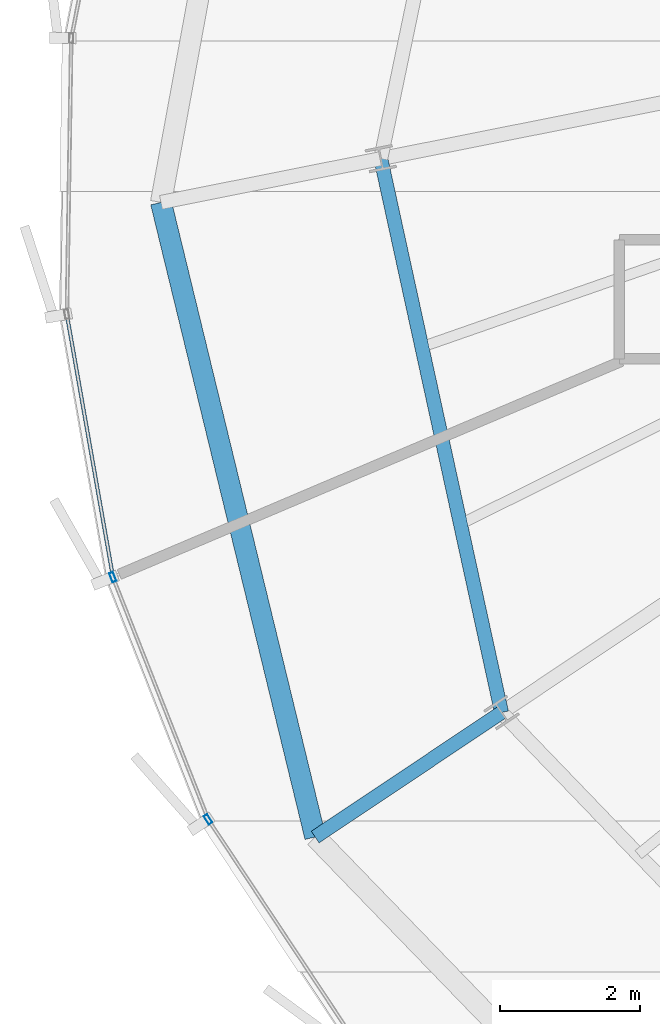
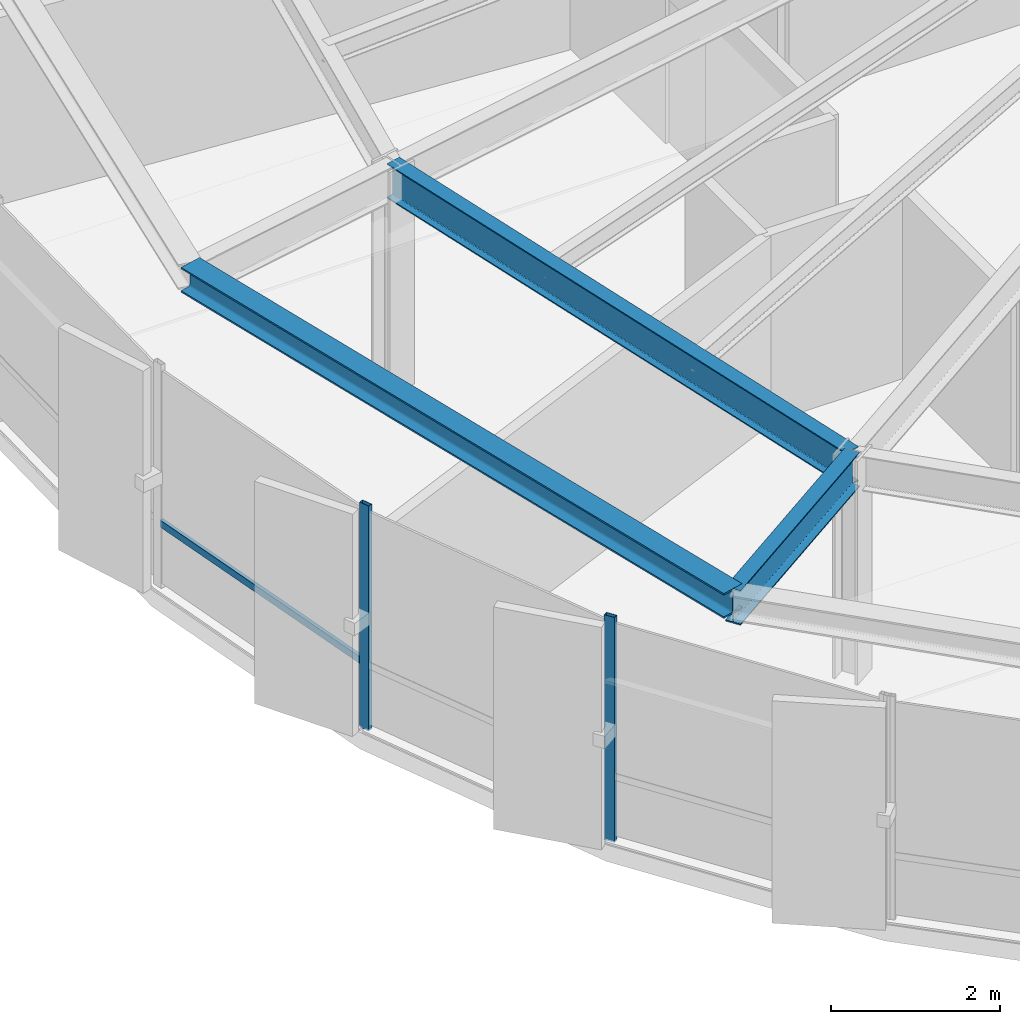
# One storey, part 4 of 35: 3 beams, 3 members, 1 element without a shape of its own.
"""IFC4 building model written with IfcOpenShell, lengths in metres."""

from ifc_helpers import new_model, si_unit, direction, frame, origin, origin_2d, place, context, subcontext, project, spatial, hollow_rectangle, i_section, extrude, source, transform, mapped, material, layer, layer_set, material_profile, profile_set, type_object, element, aggregate, save


model = new_model("IFC4")

# Units and contexts
model_context = context("Model", 3, precision=1e-05, world=origin(), true_north=direction((0.0, 1.0)))
body_context = subcontext(model_context, "Body", "Model", "MODEL_VIEW")
ifc_project = project(units=[si_unit("LENGTHUNIT", "METRE"), si_unit("AREAUNIT", "SQUARE_METRE"), si_unit("VOLUMEUNIT", "CUBIC_METRE"), si_unit("PLANEANGLEUNIT", "RADIAN"), si_unit("MASSUNIT", "GRAM", prefix="KILO"), si_unit("THERMODYNAMICTEMPERATUREUNIT", "KELVIN")], contexts=[model_context])

# Site, building, storey
site_placement = place(None, origin())
site = spatial("IfcSite", under=ifc_project, at=site_placement, CompositionType="ELEMENT")
building_placement = place(site_placement, origin())
building = spatial("IfcBuilding", under=site, at=building_placement, Name="Kethvar Cultural Tower", CompositionType="ELEMENT")
storey_placement = place(building_placement, frame((0.0, 0.0, 193.89990234375)))
storey = spatial("IfcBuildingStorey", under=building, at=storey_placement, Name="L50", CompositionType="ELEMENT", Elevation=193.89990234375)

# Beams
ifc_material_1 = material(Name="Steel S355J2", Category="steel")
ifc_material_profile_1 = material_profile(ifc_material_1, i_section(OverallWidth=0.199951171875, OverallDepth=0.5, WebThickness=0.01025390625, FlangeThickness=0.01611328125, FilletRadius=0.02099609375, at=origin_2d()), Name="Steel S355J2 — IPE500")
ifc_profile_set_1 = profile_set([ifc_material_profile_1], Name="Steel S355J2 — IPE500")
beam_type_1 = type_object("IfcBeamType", Name="BM-IPE500", PredefinedType="BEAM", material=ifc_profile_set_1)
shared_shape_1 = source(origin(), body_context, "Body", "SweptSolid", [
    extrude(i_section(OverallWidth=0.199951171875, OverallDepth=0.5, WebThickness=0.01025390625, FlangeThickness=0.01611328125, FilletRadius=0.02099609375, at=origin_2d()), origin(), (0.0, 0.0, 1.0), 3.199951171875),
])
beam_1_placement = place(storey_placement, frame((29.217529296875, 16.0517578125, 3.008056640625), z_axis=(-0.831462943996, -0.555580212716, 0.0), x_axis=(0.555580212716, -0.831462943996, 0.0)))
element("IfcBeam", 1, at=beam_1_placement, inside=storey, type_object=beam_type_1, Name="L50 Perimeter Cantilever Beam RC-10", PredefinedType="BEAM", context=body_context, shape_type="MappedRepresentation", body=[
    mapped(shared_shape_1, transform((0.0, 0.0, 0.0), scale=1.0)),
])
shared_shape_2 = source(origin(), body_context, "Body", "SweptSolid", [
    extrude(i_section(OverallWidth=0.199951171875, OverallDepth=0.5, WebThickness=0.01025390625, FlangeThickness=0.01611328125, FilletRadius=0.02099609375, at=origin_2d()), origin(), (0.0, 0.0, 1.0), 8.09375),
])
beam_2_placement = place(storey_placement, frame((27.492919921875, 23.959716796875, 3.008056640625), z_axis=(0.213077030298, -0.977035403227, 0.0), x_axis=(0.977035403227, 0.213077030298, 0.0)))
element("IfcBeam", 2, at=beam_2_placement, inside=storey, type_object=beam_type_1, Name="L50 Column Ring Tie Beam CR-09", PredefinedType="BEAM", context=body_context, shape_type="MappedRepresentation", body=[
    mapped(shared_shape_2, transform((0.0, 0.0, 0.0), scale=1.0)),
])
ifc_material_profile_2 = material_profile(ifc_material_1, i_section(OverallWidth=0.300048828125, OverallDepth=0.360107421875, WebThickness=0.012451171875, FlangeThickness=0.0224609375, FilletRadius=0.027099609375, at=origin_2d()), Name="Steel S355J2 — HEB360")
ifc_profile_set_2 = profile_set([ifc_material_profile_2], Name="Steel S355J2 — HEB360")
beam_type_2 = type_object("IfcBeamType", Name="BM-SP360", PredefinedType="SPANDREL", material=ifc_profile_set_2)
shared_shape_3 = source(origin(), body_context, "Body", "SweptSolid", [
    extrude(i_section(OverallWidth=0.300048828125, OverallDepth=0.360107421875, WebThickness=0.012451171875, FlangeThickness=0.0224609375, FilletRadius=0.027099609375, at=origin_2d()), origin(), (0.0, 0.0, 1.0), 9.3251953125),
])
beam_3_placement = place(storey_placement, frame((24.3544921875, 23.335205078125, 3.078125), z_axis=(0.236179213868, -0.97170951366, 0.0), x_axis=(0.97170951366, 0.236179213868, 0.0)))
element("IfcBeam", 3, at=beam_3_placement, inside=storey, type_object=beam_type_2, Name="L50 Perimeter Spandrel Beam SP-09", PredefinedType="SPANDREL", context=body_context, shape_type="MappedRepresentation", body=[
    mapped(shared_shape_3, transform((0.0, 0.0, 0.0), scale=1.0)),
])

# Curtain wall, members
ifc_material_2 = material(Name="Aluminium 6063-T6", Category="aluminium")
ifc_layer = layer(ifc_material_2, 0.179931640625, Name="Aluminium 6063-T6", Category="aluminium")
ifc_layer_set = layer_set([ifc_layer], Name="Aluminium 6063-T6 (180 mm)")
curtain_wall_type = type_object("IfcCurtainWallType", Name="CW-SYS-04-Z34", PredefinedType="NOTDEFINED", material=ifc_layer_set)
curtain_wall_placement = place(storey_placement, origin())
curtain_wall = element("IfcCurtainWall", 4, at=curtain_wall_placement, inside=storey, type_object=curtain_wall_type, Name="L50 Curtain Wall Run 03", PredefinedType="NOTDEFINED")
ifc_material_profile_3 = material_profile(ifc_material_2, hollow_rectangle(XDim=0.06005859375, YDim=0.139892578125, WallThickness=0.0048828125, at=origin_2d()), Name="Aluminium 6063-T6 — RHS140x60x5")
ifc_profile_set_3 = profile_set([ifc_material_profile_3], Name="Aluminium 6063-T6 — RHS140x60x5")
member_type_1 = type_object("IfcMemberType", Name="CW-SYS-04-Z34-MUL", PredefinedType="MULLION", material=ifc_profile_set_3)
shared_shape_4 = source(origin(), body_context, "Body", "SweptSolid", [
    extrude(hollow_rectangle(XDim=0.06005859375, YDim=0.139892578125, WallThickness=0.0048828125, at=origin_2d()), origin(), (0.0, 0.0, 1.0), 3.260009765625),
])
member_1_placement = place(storey_placement, frame((23.66748046875, 17.984375, 0.0), z_axis=(0.0, 0.0, 1.0), x_axis=(0.930417567982, 0.366501226724, 0.0)))
member_1 = element("IfcMember", 5, at=member_1_placement, type_object=member_type_1, Name="CW-L50-R03 Mullion 5", PredefinedType="MULLION", context=body_context, shape_type="MappedRepresentation", body=[
    mapped(shared_shape_4, transform((0.0, 0.0, 0.0), scale=1.0)),
])
member_2_placement = place(storey_placement, frame((25.026611328125, 14.52734375, 0.0), z_axis=(0.0, 0.0, 1.0), x_axis=(0.833808748998, 0.552053412357, 0.0)))
member_2 = element("IfcMember", 6, at=member_2_placement, type_object=member_type_1, Name="CW-L50-R03 Mullion 6", PredefinedType="MULLION", context=body_context, shape_type="MappedRepresentation", body=[
    mapped(shared_shape_4, transform((0.0, 0.0, 0.0), scale=1.0)),
])
ifc_material_profile_4 = material_profile(ifc_material_2, hollow_rectangle(XDim=0.050048828125, YDim=0.10009765625, WallThickness=0.00390625, at=origin_2d()), Name="Aluminium 6063-T6 — RHS100x50x4")
ifc_profile_set_4 = profile_set([ifc_material_profile_4], Name="Aluminium 6063-T6 — RHS100x50x4")
member_type_2 = type_object("IfcMemberType", Name="CW-SYS-04-Z34-TRN", PredefinedType="USERDEFINED", material=ifc_profile_set_4)
shared_shape_5 = source(origin(), body_context, "Body", "SweptSolid", [
    extrude(hollow_rectangle(XDim=0.050048828125, YDim=0.10009765625, WallThickness=0.00390625, at=origin_2d()), origin(), (0.0, 0.0, 1.0), 3.748291015625),
])
member_3_placement = place(storey_placement, frame((23.017333984375, 21.697265625, 0.9501953125), z_axis=(0.173064427821, -0.984910505489, 0.0), x_axis=(0.984910505489, 0.173064427821, 0.0)))
member_3 = element("IfcMember", 7, at=member_3_placement, type_object=member_type_2, Name="CW-L50-R03 Transom 4", ObjectType="TRANSOM", PredefinedType="USERDEFINED", context=body_context, shape_type="MappedRepresentation", body=[
    mapped(shared_shape_5, transform((0.0, 0.0, 0.0), scale=1.0)),
])
aggregate(curtain_wall, [member_1, member_2, member_3])

save(model, "model.ifc")
